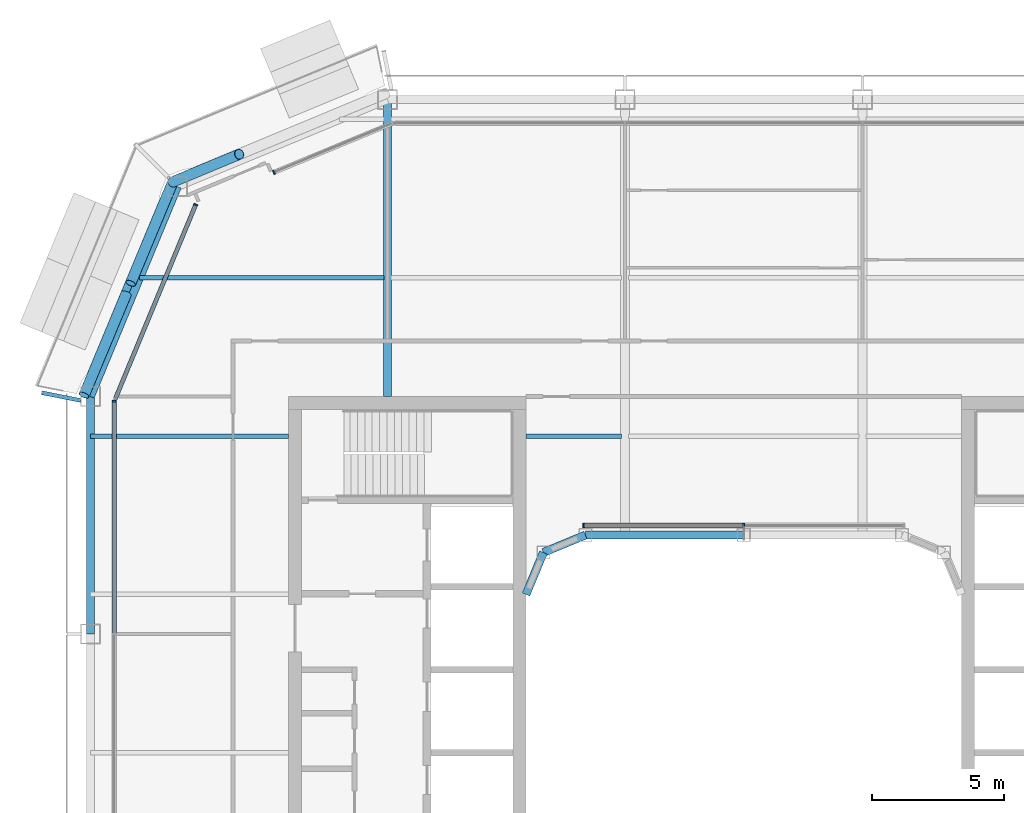
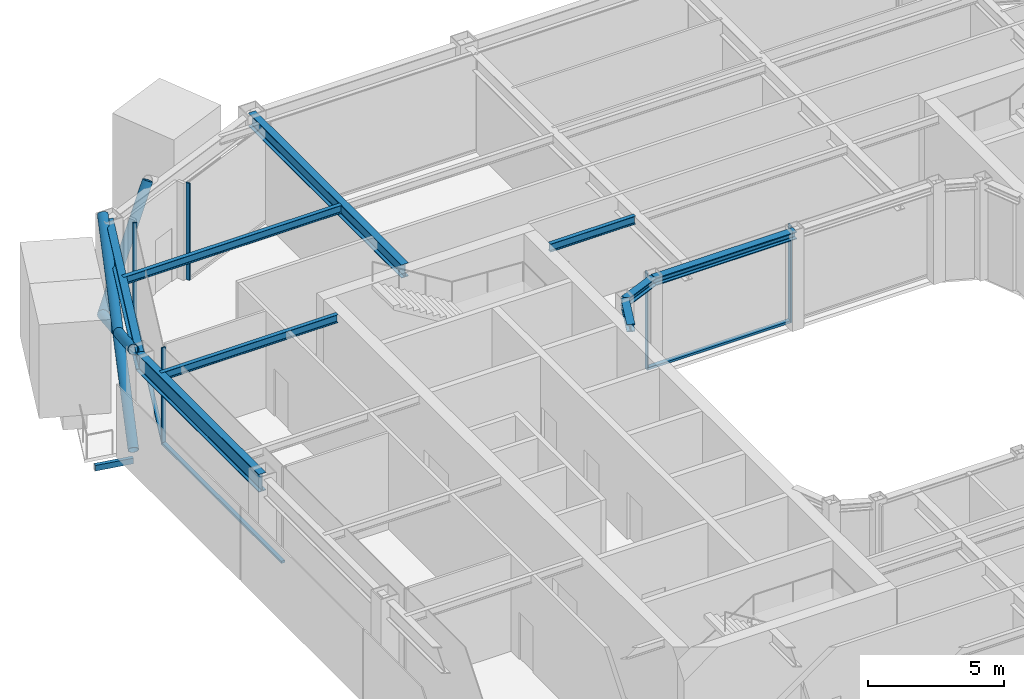
# One storey, part 6 of 21: 12 members, 10 beams, 4 elements without a shape of their own.
"""IFC4 building model written with IfcOpenShell, lengths in metres."""

from ifc_helpers import new_model, si_unit, direction, frame, origin, origin_2d, place, context, subcontext, project, spatial, rectangle, hollow_rectangle, hollow_circle, i_section, extrude, material, layer, layer_set, material_profile, profile_set, type_object, element, aggregate, save


model = new_model("IFC4")

# Units and contexts
model_context = context("Model", 3, precision=1e-05, world=origin(), true_north=direction((0.0, 1.0)))
body_context = subcontext(model_context, "Body", "Model", "MODEL_VIEW")
ifc_project = project(units=[si_unit("LENGTHUNIT", "METRE"), si_unit("AREAUNIT", "SQUARE_METRE"), si_unit("VOLUMEUNIT", "CUBIC_METRE"), si_unit("PLANEANGLEUNIT", "RADIAN"), si_unit("MASSUNIT", "GRAM", prefix="KILO")], contexts=[model_context])

# Site, building, storey
site_placement = place(None, origin())
site = spatial("IfcSite", under=ifc_project, at=site_placement, CompositionType="ELEMENT")
building_placement = place(site_placement, origin())
building = spatial("IfcBuilding", under=site, at=building_placement, Name="Siwar Civic Tower", CompositionType="ELEMENT")
storey_placement = place(building_placement, frame((0.0, 0.0, 312.199951171875)))
storey = spatial("IfcBuildingStorey", under=building, at=storey_placement, Name="L67", CompositionType="ELEMENT", Elevation=312.199951171875)

# Beam
ifc_material_1 = material(Name="Steel S355", Category="steel")
ifc_material_profile_1 = material_profile(ifc_material_1, hollow_rectangle(XDim=0.14990234375, YDim=0.25, WallThickness=0.010009765625, at=origin_2d()), Name="RHS250x150x10")
ifc_profile_set_1 = profile_set([ifc_material_profile_1], Name="Steel S355")
beam_type_1 = type_object("IfcBeamType", Name="ENV-BALCONY ARM", PredefinedType="BEAM", material=ifc_profile_set_1)
beam_1_placement = place(storey_placement, frame((-25.125, 13.350341796875, -0.27490234375), z_axis=(-0.980800841714, 0.195012073712, 0.0), x_axis=(-0.195012073712, -0.980800841714, 0.0)))
element("IfcBeam", 1, at=beam_1_placement, inside=storey, type_object=beam_type_1, Name="Balcony cantilever beam NW 3", PredefinedType="BEAM", context=body_context, shape_type="SweptSolid", body=[
    extrude(hollow_rectangle(XDim=0.14990234375, YDim=0.25, WallThickness=0.010009765625, at=origin_2d()), origin(), (0.0, 0.0, 1.0), 1.488525390625),
])

# Curtain wall, member
ifc_material_2 = material(Name="Aluminium clad insulated panel", Category="aluminium")
ifc_layer_1 = layer(ifc_material_2, 0.159912109375)
ifc_layer_set_1 = layer_set([ifc_layer_1], Name="Aluminium clad insulated panel")
curtain_wall_type_1 = type_object("IfcCurtainWallType", Name="ENV-CW-DX", PredefinedType="NOTDEFINED", material=ifc_layer_set_1)
curtain_wall_1_placement = place(storey_placement, origin())
curtain_wall_1 = element("IfcCurtainWall", 2, at=curtain_wall_1_placement, inside=storey, type_object=curtain_wall_type_1, Name="Curtain wall D NW1", PredefinedType="NOTDEFINED")
ifc_material_3 = material(Name="Aluminium 6063-T6", Category="aluminium")
ifc_material_profile_2 = material_profile(ifc_material_3, rectangle(XDim=0.159912109375, YDim=0.06005859375, at=origin_2d()), Name="AL 160x60")
ifc_profile_set_2 = profile_set([ifc_material_profile_2], Name="Aluminium 6063-T6")
member_type_1 = type_object("IfcMemberType", Name="ENV-MULLION-D", PredefinedType="MULLION", material=ifc_profile_set_2)
member_1_placement = place(storey_placement, frame((-17.799072265625, 21.9951171875, 0.0), z_axis=(0.0, 0.0, 1.0), x_axis=(0.382683432365, -0.923879532511, 0.0)))
member_1 = element("IfcMember", 3, at=member_1_placement, type_object=member_type_1, Name="Mullion D NW1 2", PredefinedType="MULLION", context=body_context, shape_type="SweptSolid", body=[
    extrude(rectangle(XDim=0.159912109375, YDim=0.06005859375, at=origin_2d()), origin(), (0.0, 0.0, 1.0), 4.35009765625),
])
aggregate(curtain_wall_1, [member_1])

curtain_wall_2_placement = place(storey_placement, origin())
curtain_wall_2 = element("IfcCurtainWall", 4, at=curtain_wall_2_placement, inside=storey, type_object=curtain_wall_type_1, Name="Curtain wall D NW2", PredefinedType="NOTDEFINED")
member_2_placement = place(storey_placement, frame((-20.76611328125, 20.76611328125, 0.0), z_axis=(0.0, 0.0, 1.0), x_axis=(0.923879532511, -0.382683432365, 0.0)))
member_2 = element("IfcMember", 5, at=member_2_placement, type_object=member_type_1, Name="Mullion D NW2 1", PredefinedType="MULLION", context=body_context, shape_type="SweptSolid", body=[
    extrude(rectangle(XDim=0.159912109375, YDim=0.06005859375, at=origin_2d()), origin(), (0.0, 0.0, 1.0), 4.35009765625),
])

ifc_material_4 = material(Name="Aluminium and glass", Category="aluminium")
ifc_layer_2 = layer(ifc_material_4, 0.159912109375)
ifc_layer_set_2 = layer_set([ifc_layer_2], Name="Aluminium and glass")
curtain_wall_type_2 = type_object("IfcCurtainWallType", Name="ENV-CW-D", PredefinedType="NOTDEFINED", material=ifc_layer_set_2)
curtain_wall_3_placement = place(storey_placement, origin())
curtain_wall_3 = element("IfcCurtainWall", 6, at=curtain_wall_3_placement, inside=storey, type_object=curtain_wall_type_2, Name="Curtain wall D W", PredefinedType="NOTDEFINED")
member_3_placement = place(storey_placement, frame((-23.85009765625, 13.321044921875, 0.0), z_axis=(0.0, 0.0, 1.0), x_axis=(1.0, 0.0, 0.0)))
member_3 = element("IfcMember", 7, at=member_3_placement, type_object=member_type_1, Name="Mullion D W 1", PredefinedType="MULLION", context=body_context, shape_type="SweptSolid", body=[
    extrude(rectangle(XDim=0.159912109375, YDim=0.06005859375, at=origin_2d()), origin(), (0.0, 0.0, 1.0), 4.35009765625),
])

# Curtain wall, members
ifc_material_5 = material(Name="Aluminium and glass", Category="aluminium")
ifc_layer_3 = layer(ifc_material_5, 0.179931640625)
ifc_layer_set_3 = layer_set([ifc_layer_3], Name="Aluminium and glass")
curtain_wall_type_3 = type_object("IfcCurtainWallType", Name="ENV-CW-W", PredefinedType="NOTDEFINED", material=ifc_layer_set_3)
curtain_wall_4_placement = place(storey_placement, origin())
curtain_wall_4 = element("IfcCurtainWall", 8, at=curtain_wall_4_placement, inside=storey, type_object=curtain_wall_type_3, Name="Curtain wall W WN", PredefinedType="NOTDEFINED")
ifc_material_6 = material(Name="Aluminium 6063-T6", Category="aluminium")
ifc_material_profile_3 = material_profile(ifc_material_6, rectangle(XDim=0.179931640625, YDim=0.06005859375, at=origin_2d()), Name="AL 180x60")
ifc_profile_set_3 = profile_set([ifc_material_profile_3], Name="Aluminium 6063-T6")
member_type_2 = type_object("IfcMemberType", Name="ENV-MULLION-W", PredefinedType="MULLION", material=ifc_profile_set_3)
member_4_placement = place(storey_placement, frame((0.0, 8.610107421875, 0.0), z_axis=(0.0, 0.0, 1.0), x_axis=(0.0, -1.0, 0.0)))
member_4 = element("IfcMember", 9, at=member_4_placement, type_object=member_type_2, Name="Mullion W WN 2", PredefinedType="MULLION", context=body_context, shape_type="SweptSolid", body=[
    extrude(rectangle(XDim=0.179931640625, YDim=0.06005859375, at=origin_2d()), origin(), (0.0, 0.0, 1.0), 4.35009765625),
])
member_5_placement = place(storey_placement, frame((-6.071533203125, 8.610107421875, 0.0), z_axis=(0.0, 0.0, 1.0), x_axis=(0.0, -1.0, 0.0)))
member_5 = element("IfcMember", 10, at=member_5_placement, type_object=member_type_2, Name="Mullion W WN 3", PredefinedType="MULLION", context=body_context, shape_type="SweptSolid", body=[
    extrude(rectangle(XDim=0.179931640625, YDim=0.06005859375, at=origin_2d()), origin(), (0.0, 0.0, 1.0), 4.35009765625),
])

# Member
ifc_material_7 = material(Name="Aluminium 6063-T6", Category="aluminium")
ifc_material_profile_4 = material_profile(ifc_material_7, rectangle(XDim=0.159912109375, YDim=0.10009765625, at=origin_2d()), Name="AL 160x100")
ifc_profile_set_4 = profile_set([ifc_material_profile_4], Name="Aluminium 6063-T6")
member_type_3 = type_object("IfcMemberType", Name="ENV-TRANSOM-D", PredefinedType="USERDEFINED", material=ifc_profile_set_4)
member_6_placement = place(storey_placement, frame((-20.777587890625, 20.738525390625, 0.050048828125), z_axis=(-0.382673515031, -0.923883640343, 0.0), x_axis=(0.923883640343, -0.382673515031, 0.0)))
member_6 = element("IfcMember", 11, at=member_6_placement, type_object=member_type_3, Name="Transom D NW2 1", ObjectType="TRANSOM", PredefinedType="USERDEFINED", context=body_context, shape_type="SweptSolid", body=[
    extrude(rectangle(XDim=0.159912109375, YDim=0.10009765625, at=origin_2d()), origin(), (0.0, 0.0, 1.0), 7.930908203125),
])

aggregate(curtain_wall_2, [member_2, member_6])

member_7_placement = place(storey_placement, frame((-23.85009765625, 13.291015625, 0.050048828125), z_axis=(0.0, -1.0, 0.0), x_axis=(1.0, 0.0, 0.0)))
member_7 = element("IfcMember", 12, at=member_7_placement, type_object=member_type_3, Name="Transom D W 1", ObjectType="TRANSOM", PredefinedType="USERDEFINED", context=body_context, shape_type="SweptSolid", body=[
    extrude(rectangle(XDim=0.159912109375, YDim=0.10009765625, at=origin_2d()), origin(), (0.0, 0.0, 1.0), 8.760986328125),
])

aggregate(curtain_wall_3, [member_3, member_7])

ifc_material_8 = material(Name="Aluminium 6063-T6", Category="aluminium")
ifc_material_profile_5 = material_profile(ifc_material_8, rectangle(XDim=0.179931640625, YDim=0.10009765625, at=origin_2d()), Name="AL 180x100")
ifc_profile_set_5 = profile_set([ifc_material_profile_5], Name="Aluminium 6063-T6")
member_type_4 = type_object("IfcMemberType", Name="ENV-TRANSOM-W", PredefinedType="USERDEFINED", material=ifc_profile_set_5)
member_8_placement = place(storey_placement, frame((-0.030029296875, 8.610107421875, 0.050048828125), z_axis=(-1.0, 0.0, 0.0), x_axis=(0.0, -1.0, 0.0)))
member_8 = element("IfcMember", 13, at=member_8_placement, type_object=member_type_4, Name="Transom W WN 2", ObjectType="TRANSOM", PredefinedType="USERDEFINED", context=body_context, shape_type="SweptSolid", body=[
    extrude(rectangle(XDim=0.179931640625, YDim=0.10009765625, at=origin_2d()), origin(), (0.0, 0.0, 1.0), 6.011474609375),
])

aggregate(curtain_wall_4, [member_4, member_5, member_8])

# Members
ifc_material_9 = material(Name="Steel S355", Category="steel")
ifc_material_profile_6 = material_profile(ifc_material_9, hollow_circle(Radius=0.203125, WallThickness=0.01611328125, at=origin_2d()), Name="CHS406.4x16")
ifc_profile_set_6 = profile_set([ifc_material_profile_6], Name="Steel S355")
member_type_5 = type_object("IfcMemberType", Name="STR-BR-CHS406.4x16", PredefinedType="BRACE", material=ifc_profile_set_6)
member_9_placement = place(storey_placement, frame((-24.9951171875, 13.548828125, 0.0), z_axis=(0.341671493852, 0.821142553604, 0.457149315816), x_axis=(-0.923264922524, 0.384163874976, 0.0)))
element("IfcMember", 14, at=member_9_placement, inside=storey, type_object=member_type_5, Name="L67/brc/DNW1-6-0-1", PredefinedType="BRACE", context=body_context, shape_type="SweptSolid", body=[
    extrude(hollow_circle(Radius=0.203125, WallThickness=0.01611328125, at=origin_2d()), origin(), (0.0, 0.0, 1.0), 9.843505859375),
])
member_10_placement = place(storey_placement, frame((-21.6318359375, 21.6318359375, 0.0), z_axis=(-0.341644380467, -0.821147096886, 0.457161418507), x_axis=(0.923276488787, -0.38413607648, 0.0)))
element("IfcMember", 15, at=member_10_placement, inside=storey, type_object=member_type_5, Name="L67/brc/DNW1-6-0-2", PredefinedType="BRACE", context=body_context, shape_type="SweptSolid", body=[
    extrude(hollow_circle(Radius=0.203125, WallThickness=0.01611328125, at=origin_2d()), origin(), (0.0, 0.0, 1.0), 4.677001953125),
])
member_11_placement = place(storey_placement, frame((-23.397216796875, 17.38916015625, 2.362060546875), z_axis=(-0.341667178655, -0.821149689876, 0.457139722456), x_axis=(0.923267827529, -0.384156893273, 0.0)))
element("IfcMember", 16, at=member_11_placement, inside=storey, type_object=member_type_5, Name="L67/brc/DNW1-6-0-3", PredefinedType="BRACE", context=body_context, shape_type="SweptSolid", body=[
    extrude(hollow_circle(Radius=0.203125, WallThickness=0.01611328125, at=origin_2d()), origin(), (0.0, 0.0, 1.0), 4.6767578125),
])
member_12_placement = place(storey_placement, frame((-21.6318359375, 21.6318359375, 0.0), z_axis=(0.478099094869, 0.198925611165, 0.855482236349), x_axis=(-0.384150749045, 0.92327038402, 0.0)))
element("IfcMember", 17, at=member_12_placement, inside=storey, type_object=member_type_5, Name="L67/brc/DNW1-6-0-6", PredefinedType="BRACE", context=body_context, shape_type="SweptSolid", body=[
    extrude(hollow_circle(Radius=0.203125, WallThickness=0.01611328125, at=origin_2d()), origin(), (0.0, 0.0, 1.0), 5.26025390625),
])

# Beams
ifc_material_10 = material(Name="Steel S355", Category="steel")
ifc_material_profile_7 = material_profile(ifc_material_10, i_section(OverallWidth=0.169921875, OverallDepth=0.360107421875, WebThickness=0.008056640625, FlangeThickness=0.0126953125, FilletRadius=0.01806640625, at=origin_2d()), Name="IPE360")
ifc_profile_set_7 = profile_set([ifc_material_profile_7], Name="Steel S355")
beam_type_2 = type_object("IfcBeamType", Name="STR-FB-IPE360", PredefinedType="JOIST", material=ifc_profile_set_7)
beam_2_placement = place(storey_placement, frame((-24.75, 12.0, 4.170166015625), z_axis=(1.0, 0.0, 0.0), x_axis=(0.0, 1.0, 0.0)))
element("IfcBeam", 18, at=beam_2_placement, inside=storey, type_object=beam_type_2, Name="L67/bm/F022", PredefinedType="JOIST", context=body_context, shape_type="SweptSolid", body=[
    extrude(i_section(OverallWidth=0.169921875, OverallDepth=0.360107421875, WebThickness=0.008056640625, FlangeThickness=0.0126953125, FilletRadius=0.01806640625, at=origin_2d()), origin(), (0.0, 0.0, 1.0), 7.5),
])
beam_3_placement = place(storey_placement, frame((-8.25, 12.0, 4.170166015625), z_axis=(1.0, 0.0, 0.0), x_axis=(0.0, 1.0, 0.0)))
element("IfcBeam", 19, at=beam_3_placement, inside=storey, type_object=beam_type_2, Name="L67/bm/F023", PredefinedType="JOIST", context=body_context, shape_type="SweptSolid", body=[
    extrude(i_section(OverallWidth=0.169921875, OverallDepth=0.360107421875, WebThickness=0.008056640625, FlangeThickness=0.0126953125, FilletRadius=0.01806640625, at=origin_2d()), origin(), (0.0, 0.0, 1.0), 3.6201171875),
])
beam_4_placement = place(storey_placement, frame((-22.885986328125, 18.0, 4.170166015625), z_axis=(1.0, 0.0, 0.0), x_axis=(0.0, 1.0, 0.0)))
element("IfcBeam", 20, at=beam_4_placement, inside=storey, type_object=beam_type_2, Name="L67/bm/F027", PredefinedType="JOIST", context=body_context, shape_type="SweptSolid", body=[
    extrude(i_section(OverallWidth=0.169921875, OverallDepth=0.360107421875, WebThickness=0.008056640625, FlangeThickness=0.0126953125, FilletRadius=0.01806640625, at=origin_2d()), origin(), (0.0, 0.0, 1.0), 9.256103515625),
])
ifc_material_11 = material(Name="Steel S355", Category="steel")
ifc_material_profile_8 = material_profile(ifc_material_11, i_section(OverallWidth=0.300048828125, OverallDepth=0.60009765625, WebThickness=0.015380859375, FlangeThickness=0.030029296875, FilletRadius=0.027099609375, at=origin_2d()), Name="HEB600")
ifc_profile_set_8 = profile_set([ifc_material_profile_8], Name="Steel S355")
beam_type_3 = type_object("IfcBeamType", Name="STR-PG-HEB600", PredefinedType="BEAM", material=ifc_profile_set_8)
beam_5_placement = place(storey_placement, frame((-13.5, 13.5, 4.050048828125), z_axis=(0.0, 1.0, 0.0), x_axis=(-1.0, 0.0, 0.0)))
element("IfcBeam", 21, at=beam_5_placement, inside=storey, type_object=beam_type_3, Name="L67/bm/G02", PredefinedType="BEAM", context=body_context, shape_type="SweptSolid", body=[
    extrude(i_section(OverallWidth=0.300048828125, OverallDepth=0.60009765625, WebThickness=0.015380859375, FlangeThickness=0.030029296875, FilletRadius=0.027099609375, at=origin_2d()), origin(), (0.0, 0.0, 1.0), 11.25),
])
ifc_material_12 = material(Name="Steel S355", Category="steel")
ifc_material_profile_9 = material_profile(ifc_material_12, i_section(OverallWidth=0.31005859375, OverallDepth=0.340087890625, WebThickness=0.02099609375, FlangeThickness=0.0390625, FilletRadius=0.027099609375, at=origin_2d()), Name="HEM300")
ifc_profile_set_9 = profile_set([ifc_material_profile_9], Name="Steel S355")
beam_type_4 = type_object("IfcBeamType", Name="STR-RB-HEM300", PredefinedType="BEAM", material=ifc_profile_set_9)
beam_6_placement = place(storey_placement, frame((-7.591064453125, 7.591064453125, 4.179931640625), z_axis=(0.923901072997, 0.382631424892, 0.0), x_axis=(-0.382631424892, 0.923901072997, 0.0)))
element("IfcBeam", 22, at=beam_6_placement, inside=storey, type_object=beam_type_4, Name="L67/bm/RN0", PredefinedType="BEAM", context=body_context, shape_type="SweptSolid", body=[
    extrude(i_section(OverallWidth=0.31005859375, OverallDepth=0.340087890625, WebThickness=0.02099609375, FlangeThickness=0.0390625, FilletRadius=0.027099609375, at=origin_2d()), origin(), (0.0, 0.0, 1.0), 1.72216796875),
])
beam_7_placement = place(storey_placement, frame((-6.0, 8.25, 4.179931640625), z_axis=(1.0, 0.0, 0.0), x_axis=(0.0, 1.0, 0.0)))
element("IfcBeam", 23, at=beam_7_placement, inside=storey, type_object=beam_type_4, Name="L67/bm/RN1", PredefinedType="BEAM", context=body_context, shape_type="SweptSolid", body=[
    extrude(i_section(OverallWidth=0.31005859375, OverallDepth=0.340087890625, WebThickness=0.02099609375, FlangeThickness=0.0390625, FilletRadius=0.027099609375, at=origin_2d()), origin(), (0.0, 0.0, 1.0), 6.0),
])
beam_8_placement = place(storey_placement, frame((-7.591064453125, 7.591064453125, 4.179931640625), z_axis=(-0.382631424892, -0.923901072997, 0.0), x_axis=(0.923901072997, -0.382631424892, 0.0)))
element("IfcBeam", 24, at=beam_8_placement, inside=storey, type_object=beam_type_4, Name="L67/bm/RNEW", PredefinedType="BEAM", context=body_context, shape_type="SweptSolid", body=[
    extrude(i_section(OverallWidth=0.31005859375, OverallDepth=0.340087890625, WebThickness=0.02099609375, FlangeThickness=0.0390625, FilletRadius=0.027099609375, at=origin_2d()), origin(), (0.0, 0.0, 1.0), 1.72216796875),
])
ifc_material_13 = material(Name="Steel S355", Category="steel")
ifc_material_profile_10 = material_profile(ifc_material_13, i_section(OverallWidth=0.300048828125, OverallDepth=0.800048828125, WebThickness=0.017578125, FlangeThickness=0.032958984375, FilletRadius=0.030029296875, at=origin_2d()), Name="HEB800")
ifc_profile_set_10 = profile_set([ifc_material_profile_10], Name="Steel S355")
beam_type_5 = type_object("IfcBeamType", Name="STR-SB-HEB800", PredefinedType="BEAM", material=ifc_profile_set_10)
beam_9_placement = place(storey_placement, frame((-21.454833984375, 21.454833984375, 3.949951171875), z_axis=(-0.382699877515, -0.923872720536, 0.0), x_axis=(0.923872720536, -0.382699877515, 0.0)))
element("IfcBeam", 25, at=beam_9_placement, inside=storey, type_object=beam_type_5, Name="L67/bm/SNW2-0", PredefinedType="BEAM", context=body_context, shape_type="SweptSolid", body=[
    extrude(i_section(OverallWidth=0.300048828125, OverallDepth=0.800048828125, WebThickness=0.017578125, FlangeThickness=0.032958984375, FilletRadius=0.030029296875, at=origin_2d()), origin(), (0.0, 0.0, 1.0), 8.6103515625),
])
beam_10_placement = place(storey_placement, frame((-24.75, 13.5, 3.949951171875), z_axis=(0.0, -1.0, 0.0), x_axis=(1.0, 0.0, 0.0)))
element("IfcBeam", 26, at=beam_10_placement, inside=storey, type_object=beam_type_5, Name="L67/bm/SW-0", PredefinedType="BEAM", context=body_context, shape_type="SweptSolid", body=[
    extrude(i_section(OverallWidth=0.300048828125, OverallDepth=0.800048828125, WebThickness=0.017578125, FlangeThickness=0.032958984375, FilletRadius=0.030029296875, at=origin_2d()), origin(), (0.0, 0.0, 1.0), 9.0),
])

save(model, "model.ifc")
